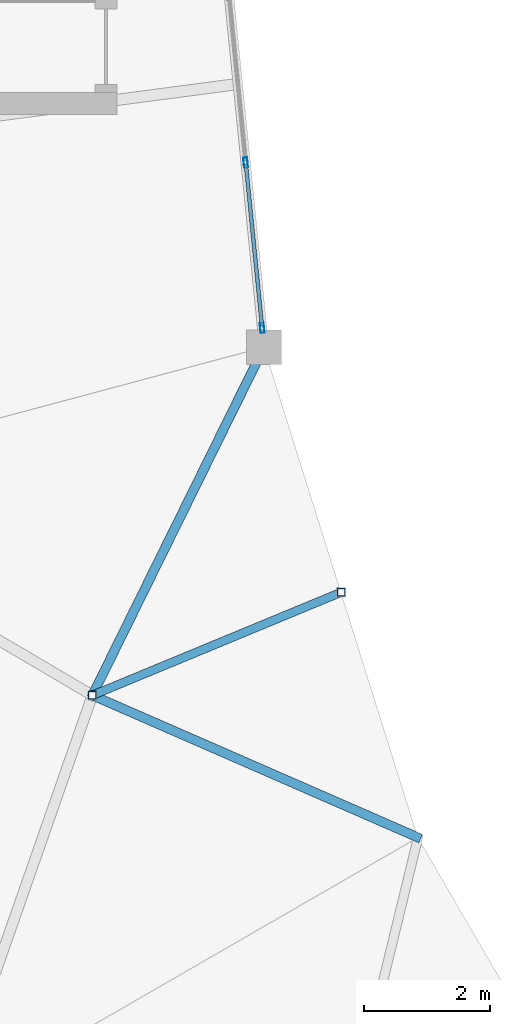
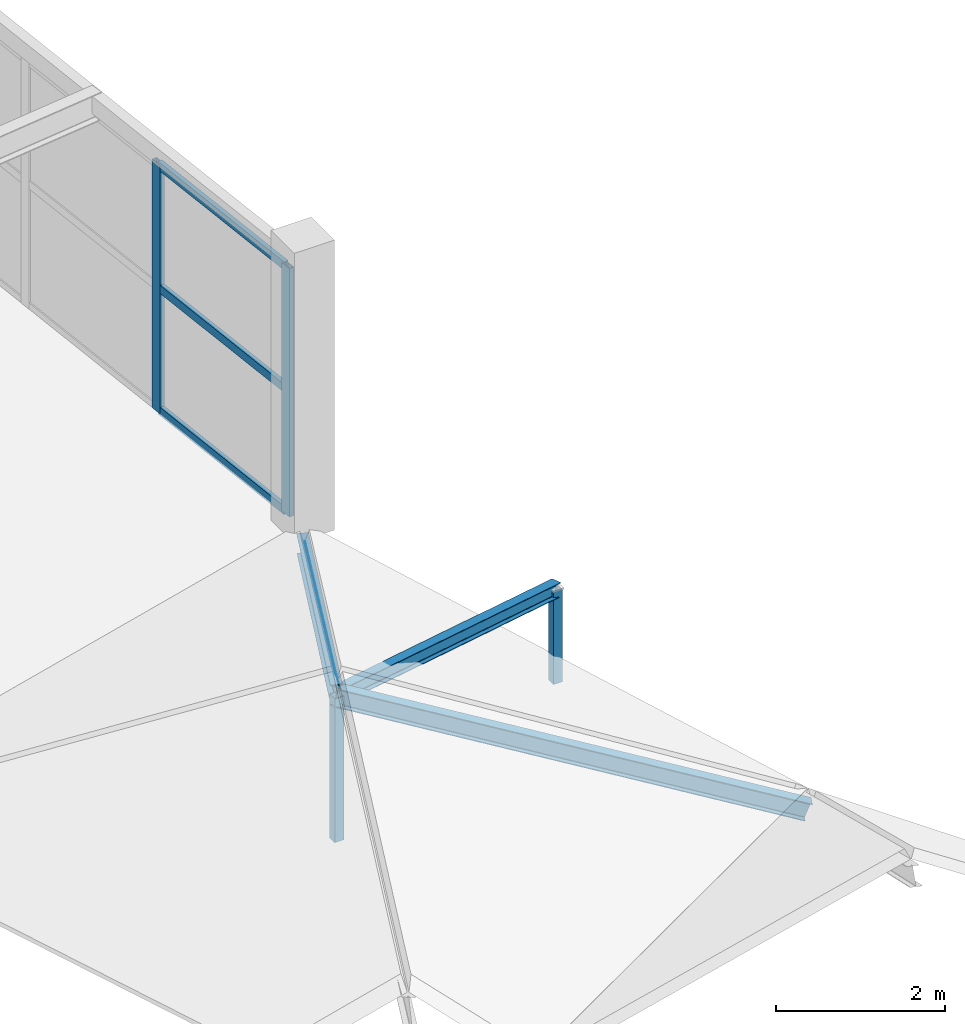
# One storey, part 30 of 106: 10 members, 1 element without a shape of its own.
"""IFC4 building model written with IfcOpenShell, lengths in metres."""

from ifc_helpers import new_model, si_unit, direction, frame, origin, origin_2d, place, context, subcontext, project, spatial, hollow_rectangle, i_section, extrude, material, material_profile, profile_set, type_object, element, aggregate, save


model = new_model("IFC4")

# Units and contexts
model_context = context("Model", 3, precision=1e-05, world=origin(), true_north=direction((0.0, 1.0)))
body_context = subcontext(model_context, "Body", "Model", "MODEL_VIEW")
ifc_project = project(units=[si_unit("LENGTHUNIT", "METRE"), si_unit("AREAUNIT", "SQUARE_METRE"), si_unit("VOLUMEUNIT", "CUBIC_METRE"), si_unit("PLANEANGLEUNIT", "RADIAN"), si_unit("MASSUNIT", "GRAM", prefix="KILO")], contexts=[model_context])

# Site, building, storey
site_placement = place(None, origin())
site = spatial("IfcSite", under=ifc_project, at=site_placement, CompositionType="ELEMENT")
building_placement = place(site_placement, origin())
building = spatial("IfcBuilding", under=site, at=building_placement, Name="Karori Crest Natural Sciences Institute", CompositionType="ELEMENT")
storey_placement = place(building_placement, frame((0.0, 0.0, 25.89990234375)))
storey = spatial("IfcBuildingStorey", under=building, at=storey_placement, Name="L06", CompositionType="ELEMENT", Elevation=25.89990234375)

# Curtain wall, members
ifc_material_1 = material(Name="Anodised architectural aluminium 6063-T6", Category="aluminium")
curtain_wall_type = type_object("IfcCurtainWallType", Name="CWT-13", PredefinedType="NOTDEFINED", material=ifc_material_1)
curtain_wall_placement = place(storey_placement, origin())
curtain_wall = element("IfcCurtainWall", 1, at=curtain_wall_placement, inside=storey, type_object=curtain_wall_type, Name="Curtain wall CW-0239", PredefinedType="NOTDEFINED")
ifc_material_profile_1 = material_profile(ifc_material_1, hollow_rectangle(XDim=0.06494140625, YDim=0.159912109375, WallThickness=0.00390625, at=origin_2d()), Name="CWM160x65x4")
ifc_profile_set_1 = profile_set([ifc_material_profile_1], Name="Anodised architectural aluminium 6063-T6")
member_type_1 = type_object("IfcMemberType", Name="CWM-01", PredefinedType="MULLION", material=ifc_profile_set_1)
member_1_placement = place(storey_placement, frame((42.53955078125, 44.49169921875, 0.0), z_axis=(0.0, 0.0, 1.0), x_axis=(0.995060684604, 0.099268494275, 0.0)))
member_1 = element("IfcMember", 2, at=member_1_placement, type_object=member_type_1, Name="CW-0239 mullion 3", PredefinedType="MULLION", context=body_context, shape_type="SweptSolid", body=[
    extrude(hollow_rectangle(XDim=0.06494140625, YDim=0.159912109375, WallThickness=0.00390625, at=origin_2d()), origin(), (0.0, 0.0, 1.0), 3.60009765625),
])
member_2_placement = place(storey_placement, frame((42.801025390625, 41.871337890625, 0.0), z_axis=(0.0, 0.0, 1.0), x_axis=(0.995060684604, 0.099268494275, 0.0)))
member_2 = element("IfcMember", 3, at=member_2_placement, type_object=member_type_1, Name="CW-0239 mullion 4", PredefinedType="MULLION", context=body_context, shape_type="SweptSolid", body=[
    extrude(hollow_rectangle(XDim=0.06494140625, YDim=0.159912109375, WallThickness=0.00390625, at=origin_2d()), origin(), (0.0, 0.0, 1.0), 3.60009765625),
])
ifc_material_profile_2 = material_profile(ifc_material_1, hollow_rectangle(XDim=0.06005859375, YDim=0.1201171875, WallThickness=0.00390625, at=origin_2d()), Name="CWT120x60x4")
ifc_profile_set_2 = profile_set([ifc_material_profile_2], Name="Anodised architectural aluminium 6063-T6")
member_type_2 = type_object("IfcMemberType", Name="CWT-TR1", PredefinedType="USERDEFINED", material=ifc_profile_set_2)
member_3_placement = place(storey_placement, frame((42.542724609375, 44.459228515625, 0.030029296875), z_axis=(0.0993343095, -0.995054116597, 0.0), x_axis=(0.995054116597, 0.0993343095, 0.0)))
member_3 = element("IfcMember", 4, at=member_3_placement, type_object=member_type_2, Name="CW-0239 transom 3.1", ObjectType="TRANSOM", PredefinedType="USERDEFINED", context=body_context, shape_type="SweptSolid", body=[
    extrude(hollow_rectangle(XDim=0.06005859375, YDim=0.1201171875, WallThickness=0.00390625, at=origin_2d()), origin(), (0.0, 0.0, 1.0), 2.568359375),
])
member_4_placement = place(storey_placement, frame((42.542724609375, 44.459228515625, 1.800048828125), z_axis=(0.0993343095, -0.995054116597, 0.0), x_axis=(0.995054116597, 0.0993343095, 0.0)))
member_4 = element("IfcMember", 5, at=member_4_placement, type_object=member_type_2, Name="CW-0239 transom 3.2", ObjectType="TRANSOM", PredefinedType="USERDEFINED", context=body_context, shape_type="SweptSolid", body=[
    extrude(hollow_rectangle(XDim=0.06005859375, YDim=0.1201171875, WallThickness=0.00390625, at=origin_2d()), origin(), (0.0, 0.0, 1.0), 2.568359375),
])
member_5_placement = place(storey_placement, frame((42.542724609375, 44.459228515625, 3.570068359375), z_axis=(0.0993343095, -0.995054116597, 0.0), x_axis=(0.995054116597, 0.0993343095, 0.0)))
member_5 = element("IfcMember", 6, at=member_5_placement, type_object=member_type_2, Name="CW-0239 transom 3.3", ObjectType="TRANSOM", PredefinedType="USERDEFINED", context=body_context, shape_type="SweptSolid", body=[
    extrude(hollow_rectangle(XDim=0.06005859375, YDim=0.1201171875, WallThickness=0.00390625, at=origin_2d()), origin(), (0.0, 0.0, 1.0), 2.568359375),
])
aggregate(curtain_wall, [member_1, member_2, member_3, member_4, member_5])

# Members
ifc_material_2 = material(Name="Structural steel AS/NZS 3679.1 Grade 350", Category="steel")
ifc_material_profile_3 = material_profile(ifc_material_2, i_section(OverallWidth=0.14599609375, OverallDepth=0.256103515625, WebThickness=0.00634765625, FlangeThickness=0.010986328125, FilletRadius=0.009033203125, at=origin_2d()), Name="250UB37.3")
ifc_profile_set_3 = profile_set([ifc_material_profile_3], Name="Structural steel AS/NZS 3679.1 Grade 350")
member_type_3 = type_object("IfcMemberType", Name="MT-07", PredefinedType="RAFTER", material=ifc_profile_set_3)
member_6_placement = place(storey_placement, frame((42.831298828125, 41.56591796875, -0.260009765625), z_axis=(-0.418669331585, -0.84887649843, 0.322683562028), x_axis=(0.896851882528, -0.442330985583, 0.0)))
element("IfcMember", 7, at=member_6_placement, inside=storey, type_object=member_type_3, Name="Member M-0124", PredefinedType="RAFTER", context=body_context, shape_type="SweptSolid", body=[
    extrude(i_section(OverallWidth=0.14599609375, OverallDepth=0.256103515625, WebThickness=0.00634765625, FlangeThickness=0.010986328125, FilletRadius=0.009033203125, at=origin_2d()), origin(), (0.0, 0.0, 1.0), 6.49609375),
])
member_7_placement = place(storey_placement, frame((45.26904296875, 33.800048828125, -0.260009765625), z_axis=(-0.858831872702, 0.374918226275, 0.349061796877), x_axis=(-0.400083601818, -0.916478647627, 0.0)))
element("IfcMember", 8, at=member_7_placement, inside=storey, type_object=member_type_3, Name="Member M-0125", PredefinedType="RAFTER", context=body_context, shape_type="SweptSolid", body=[
    extrude(i_section(OverallWidth=0.14599609375, OverallDepth=0.256103515625, WebThickness=0.00634765625, FlangeThickness=0.010986328125, FilletRadius=0.009033203125, at=origin_2d()), origin(), (0.0, 0.0, 1.0), 6.005126953125),
])
ifc_material_profile_4 = material_profile(ifc_material_2, i_section(OverallWidth=0.133056640625, OverallDepth=0.202880859375, WebThickness=0.005859375, FlangeThickness=0.0078125, FilletRadius=0.009033203125, at=origin_2d()), Name="200UB25.4")
ifc_profile_set_4 = profile_set([ifc_material_profile_4], Name="Structural steel AS/NZS 3679.1 Grade 350")
member_type_4 = type_object("IfcMemberType", Name="MT-09", PredefinedType="PURLIN", material=ifc_profile_set_4)
member_8_placement = place(storey_placement, frame((44.05029296875, 37.68310546875, 1.01513671875), z_axis=(-0.907199181359, -0.375801904731, 0.18910995146), x_axis=(0.382707510161, -0.923869558794, 0.0)))
element("IfcMember", 9, at=member_8_placement, inside=storey, type_object=member_type_4, Name="Member M-0126", PredefinedType="PURLIN", context=body_context, shape_type="SweptSolid", body=[
    extrude(i_section(OverallWidth=0.133056640625, OverallDepth=0.202880859375, WebThickness=0.005859375, FlangeThickness=0.0078125, FilletRadius=0.009033203125, at=origin_2d()), origin(), (0.0, 0.0, 1.0), 4.341552734375),
])
ifc_material_3 = material(Name="Hollow structural steel AS/NZS 1163 Grade C350", Category="steel")
ifc_material_profile_5 = material_profile(ifc_material_3, hollow_rectangle(XDim=0.125, YDim=0.125, WallThickness=0.006103515625, at=origin_2d()), Name="SHS125x125x6")
ifc_profile_set_5 = profile_set([ifc_material_profile_5], Name="Hollow structural steel AS/NZS 1163 Grade C350")
member_type_5 = type_object("IfcMemberType", Name="MT-20", PredefinedType="STRUT", material=ifc_profile_set_5)
member_9_placement = place(storey_placement, frame((40.111572265625, 36.051513671875, -0.244873046875), z_axis=(0.0, 0.0, 1.0), x_axis=(1.0, 0.0, 0.0)))
element("IfcMember", 10, at=member_9_placement, inside=storey, type_object=member_type_5, Name="Member M-0120", PredefinedType="STRUT", context=body_context, shape_type="SweptSolid", body=[
    extrude(hollow_rectangle(XDim=0.125, YDim=0.125, WallThickness=0.006103515625, at=origin_2d()), origin(), (0.0, 0.0, 1.0), 2.0810546875),
])
member_10_placement = place(storey_placement, frame((44.05029296875, 37.68310546875, -0.322998046875), z_axis=(0.0, 0.0, 1.0), x_axis=(1.0, 0.0, 0.0)))
element("IfcMember", 11, at=member_10_placement, inside=storey, type_object=member_type_5, Name="Member M-0121", PredefinedType="STRUT", context=body_context, shape_type="SweptSolid", body=[
    extrude(hollow_rectangle(XDim=0.125, YDim=0.125, WallThickness=0.006103515625, at=origin_2d()), origin(), (0.0, 0.0, 1.0), 1.338134765625),
])

save(model, "model.ifc")
